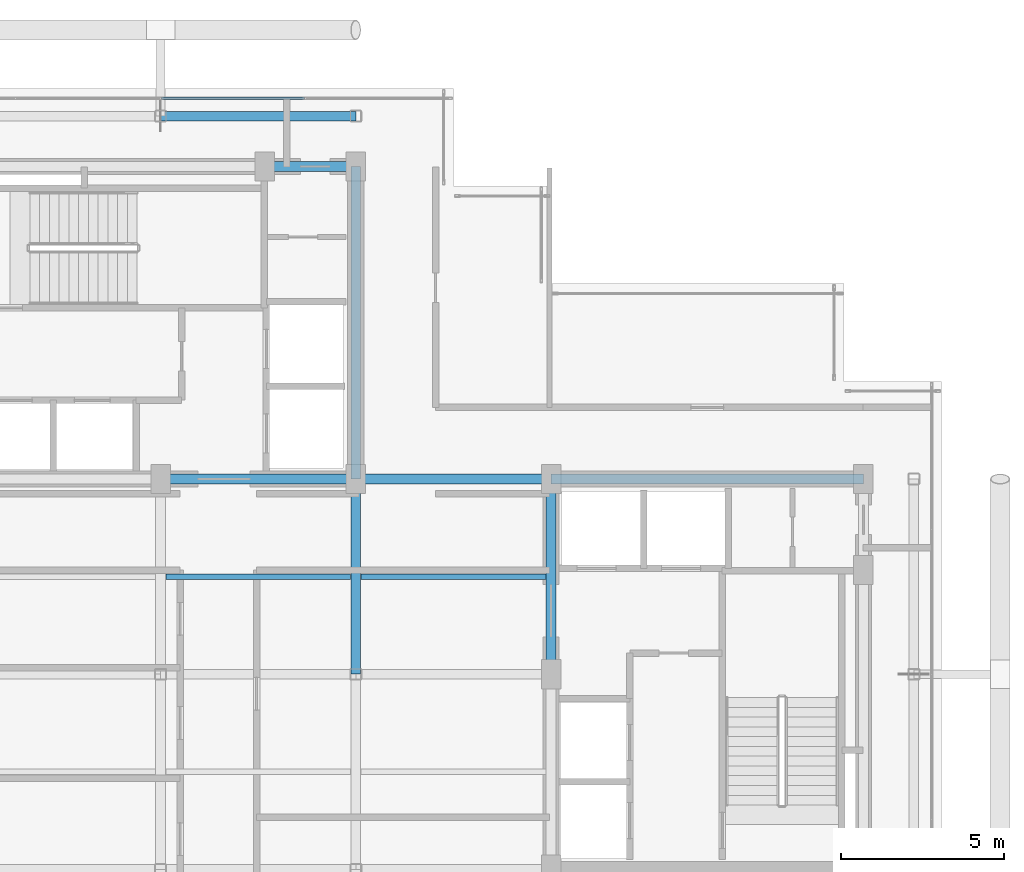
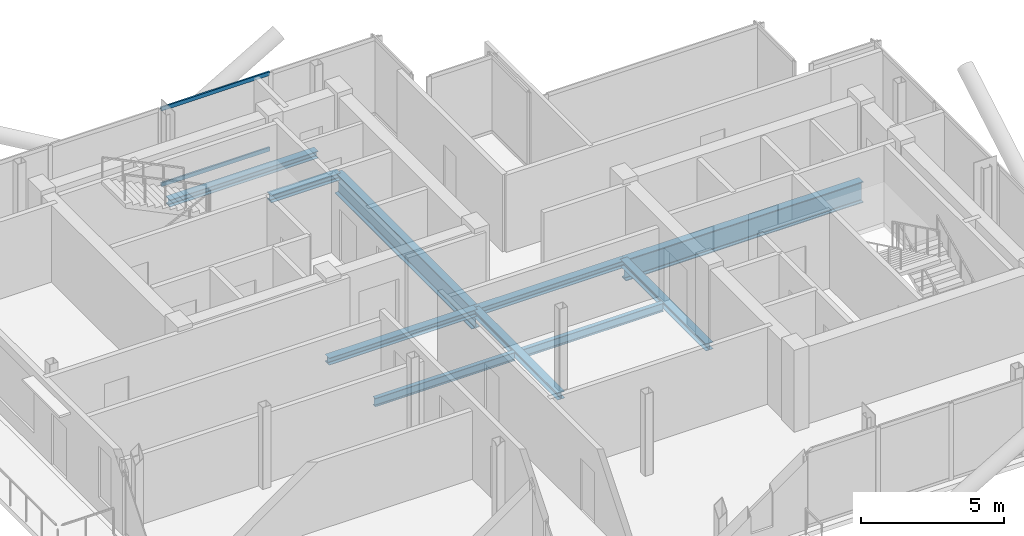
# One storey, part 9 of 18: 10 beams, 2 members, 1 element without a shape of its own.
"""IFC4 building model written with IfcOpenShell, lengths in metres."""

from ifc_helpers import new_model, si_unit, direction, frame, origin, origin_2d, place, context, subcontext, project, spatial, hollow_rectangle, i_section, extrude, material, layer, layer_set, material_profile, profile_set, type_object, element, aggregate, save


model = new_model("IFC4")

# Units and contexts
model_context = context("Model", 3, precision=1e-05, world=origin(), true_north=direction((0.0, 1.0)))
body_context = subcontext(model_context, "Body", "Model", "MODEL_VIEW")
ifc_project = project(units=[si_unit("LENGTHUNIT", "METRE"), si_unit("AREAUNIT", "SQUARE_METRE"), si_unit("VOLUMEUNIT", "CUBIC_METRE"), si_unit("PLANEANGLEUNIT", "RADIAN"), si_unit("MASSUNIT", "GRAM", prefix="KILO"), si_unit("THERMODYNAMICTEMPERATUREUNIT", "KELVIN"), si_unit("POWERUNIT", "WATT")], contexts=[model_context])

# Site, building, storey
site_placement = place(None, origin())
site = spatial("IfcSite", under=ifc_project, at=site_placement, CompositionType="ELEMENT")
building_placement = place(site_placement, origin())
building = spatial("IfcBuilding", under=site, at=building_placement, Name="Svarakhadi Broadcast Tower", CompositionType="ELEMENT")
storey_placement = place(building_placement, frame((0.0, 0.0, 281.699951171875)))
storey = spatial("IfcBuildingStorey", under=building, at=storey_placement, Name="L71", CompositionType="ELEMENT", Elevation=281.699951171875)

# Beams
ifc_material_1 = material(Name="Steel S355J2 (IS 2062 E350C)", Category="steel")
ifc_material_profile_1 = material_profile(ifc_material_1, i_section(OverallWidth=0.169921875, OverallDepth=0.360107421875, WebThickness=0.008056640625, FlangeThickness=0.0126953125, FilletRadius=0.01806640625, at=origin_2d()), Name="NPB 360x170x57")
ifc_profile_set_1 = profile_set([ifc_material_profile_1], Name="Steel S355J2 (IS 2062 E350C)")
beam_type_1 = type_object("IfcBeamType", Name="Beam_NPB360", PredefinedType="BEAM", material=ifc_profile_set_1)
for number, where, z_axis, x_axis, name in (
    (1, (12.159912109375, 15.0, -0.3798828125), (1.0, 0.0, 0.0), (0.0, 1.0, 0.0), "L71 Secondary Composite Beam SB009"),
    (2, (18.159912109375, 15.0, -0.3798828125), (1.0, 0.0, 0.0), (0.0, 1.0, 0.0), "L71 Secondary Composite Beam SB012"),
):
    element("IfcBeam", number, at=place(storey_placement, frame(where, z_axis=z_axis, x_axis=x_axis)), inside=storey, type_object=beam_type_1, Name=name, PredefinedType="BEAM", context=body_context, shape_type="SweptSolid", body=[
        extrude(i_section(OverallWidth=0.169921875, OverallDepth=0.360107421875, WebThickness=0.008056640625, FlangeThickness=0.0126953125, FilletRadius=0.01806640625, at=origin_2d()), origin(), (0.0, 0.0, 1.0), 5.68017578125),
    ])

# Curtain wall, members
ifc_material_2 = material(Name="Anodised Bronze Aluminium AA 6063-T6", Category="aluminium")
ifc_layer = layer(ifc_material_2, 0.179931640625)
ifc_layer_set = layer_set([ifc_layer], Name="Anodised Bronze Aluminium AA 6063-T6")
curtain_wall_type = type_object("IfcCurtainWallType", Name="CW_Sys_05", PredefinedType="NOTDEFINED", material=ifc_layer_set)
curtain_wall_placement = place(storey_placement, origin())
curtain_wall = element("IfcCurtainWall", 3, at=curtain_wall_placement, inside=storey, type_object=curtain_wall_type, Name="L71 Unitised Facade Curtain Wall 06", PredefinedType="NOTDEFINED")
ifc_material_profile_2 = material_profile(ifc_material_2, hollow_rectangle(XDim=0.06494140625, YDim=0.1650390625, WallThickness=0.0048828125, at=origin_2d()), Name="ALU TRANSOM 165x65x5")
ifc_profile_set_2 = profile_set([ifc_material_profile_2], Name="Anodised Bronze Aluminium AA 6063-T6")
member_type = type_object("IfcMemberType", Name="CW_Sys_05_Trn", PredefinedType="USERDEFINED", material=ifc_profile_set_2)
member_1_placement = place(storey_placement, frame((12.034912109375, 29.699951171875, 0.032470703125), z_axis=(1.0, 0.0, 0.0), x_axis=(0.0, 1.0, 0.0)))
member_1 = element("IfcMember", 4, at=member_1_placement, type_object=member_type, Name="CW-05 transom 3.1", ObjectType="TRANSOM", PredefinedType="USERDEFINED", context=body_context, shape_type="SweptSolid", body=[
    extrude(hollow_rectangle(XDim=0.06494140625, YDim=0.1650390625, WallThickness=0.0048828125, at=origin_2d()), origin(), (0.0, 0.0, 1.0), 4.385009765625),
])
member_2_placement = place(storey_placement, frame((12.034912109375, 29.699951171875, 3.267578125), z_axis=(1.0, 0.0, 0.0), x_axis=(0.0, 1.0, 0.0)))
member_2 = element("IfcMember", 5, at=member_2_placement, type_object=member_type, Name="CW-05 transom 3.2", ObjectType="TRANSOM", PredefinedType="USERDEFINED", context=body_context, shape_type="SweptSolid", body=[
    extrude(hollow_rectangle(XDim=0.06494140625, YDim=0.1650390625, WallThickness=0.0048828125, at=origin_2d()), origin(), (0.0, 0.0, 1.0), 4.385009765625),
])
aggregate(curtain_wall, [member_1, member_2])

# Beams
ifc_material_profile_3 = material_profile(ifc_material_1, i_section(OverallWidth=0.300048828125, OverallDepth=0.300048828125, WebThickness=0.010986328125, FlangeThickness=0.01904296875, FilletRadius=0.027099609375, at=origin_2d()), Name="WPB 300x300x117")
ifc_profile_set_3 = profile_set([ifc_material_profile_3], Name="Steel S355J2 (IS 2062 E350C)")
beam_type_2 = type_object("IfcBeamType", Name="Girder_WPB300", PredefinedType="USERDEFINED", material=ifc_profile_set_3)
for number, where, z_axis, x_axis, name in (
    (6, (12.0, 18.0, -0.349853515625), (1.0, 0.0, 0.0), (0.0, 1.0, 0.0), "L71 Primary E-W Girder G019"),
    (7, (18.0, 18.0, -0.349853515625), (1.0, 0.0, 0.0), (0.0, 1.0, 0.0), "L71 Primary E-W Girder G020"),
):
    element("IfcBeam", number, at=place(storey_placement, frame(where, z_axis=z_axis, x_axis=x_axis)), inside=storey, type_object=beam_type_2, Name=name, ObjectType="GIRDER", PredefinedType="USERDEFINED", context=body_context, shape_type="SweptSolid", body=[
        extrude(i_section(OverallWidth=0.300048828125, OverallDepth=0.300048828125, WebThickness=0.010986328125, FlangeThickness=0.01904296875, FilletRadius=0.027099609375, at=origin_2d()), origin(), (0.0, 0.0, 1.0), 6.0),
    ])
beam_placement = place(storey_placement, frame((15.199951171875, 27.60009765625, -0.349853515625), z_axis=(1.0, 0.0, 0.0), x_axis=(0.0, 1.0, 0.0)))
element("IfcBeam", 8, at=beam_placement, inside=storey, type_object=beam_type_2, Name="L71 Primary E-W Girder G023", ObjectType="GIRDER", PredefinedType="USERDEFINED", context=body_context, shape_type="SweptSolid", body=[
    extrude(i_section(OverallWidth=0.300048828125, OverallDepth=0.300048828125, WebThickness=0.010986328125, FlangeThickness=0.01904296875, FilletRadius=0.027099609375, at=origin_2d()), origin(), (0.0, 0.0, 1.0), 2.800048828125),
])
for number, where, z_axis, x_axis, name in (
    (9, (12.0, 29.14990234375, -0.349853515625), (1.0, 0.0, 0.0), (0.0, 1.0, 0.0), "L71 Primary E-W Girder G025"),
    (10, (18.0, 12.0, -0.349853515625), (0.0, 1.0, 0.0), (-1.0, 0.0, 0.0), "L71 Primary N-S Girder G038"),
    (11, (24.0, 12.0, -0.349853515625), (0.0, 1.0, 0.0), (-1.0, 0.0, 0.0), "L71 Primary N-S Girder G042"),
):
    element("IfcBeam", number, at=place(storey_placement, frame(where, z_axis=z_axis, x_axis=x_axis)), inside=storey, type_object=beam_type_2, Name=name, ObjectType="GIRDER", PredefinedType="USERDEFINED", context=body_context, shape_type="SweptSolid", body=[
        extrude(i_section(OverallWidth=0.300048828125, OverallDepth=0.300048828125, WebThickness=0.010986328125, FlangeThickness=0.01904296875, FilletRadius=0.027099609375, at=origin_2d()), origin(), (0.0, 0.0, 1.0), 6.0),
    ])
ifc_material_3 = material(Name="Steel S460ML (IS 2062 E450BR)", Category="steel")
ifc_material_profile_4 = material_profile(ifc_material_3, i_section(OverallWidth=0.300048828125, OverallDepth=0.89990234375, WebThickness=0.0185546875, FlangeThickness=0.034912109375, FilletRadius=0.030029296875, at=origin_2d()), Name="WPB 900x300x291")
ifc_profile_set_4 = profile_set([ifc_material_profile_4], Name="Steel S460ML (IS 2062 E450BR)")
beam_type_3 = type_object("IfcBeamType", Name="Girder_WPB900", PredefinedType="USERDEFINED", material=ifc_profile_set_4)
for number, where, z_axis, x_axis, name in (
    (12, (24.0, 18.0, -0.64990234375), (1.0, 0.0, 0.0), (0.0, 1.0, 0.0), "L71 Primary E-W Girder G021"),
    (13, (18.0, 18.0, -0.64990234375), (0.0, 1.0, 0.0), (-1.0, 0.0, 0.0), "L71 Primary N-S Girder G039"),
):
    element("IfcBeam", number, at=place(storey_placement, frame(where, z_axis=z_axis, x_axis=x_axis)), inside=storey, type_object=beam_type_3, Name=name, ObjectType="GIRDER", PredefinedType="USERDEFINED", context=body_context, shape_type="SweptSolid", body=[
        extrude(i_section(OverallWidth=0.300048828125, OverallDepth=0.89990234375, WebThickness=0.0185546875, FlangeThickness=0.034912109375, FilletRadius=0.030029296875, at=origin_2d()), origin(), (0.0, 0.0, 1.0), 9.60009765625),
    ])

save(model, "model.ifc")
